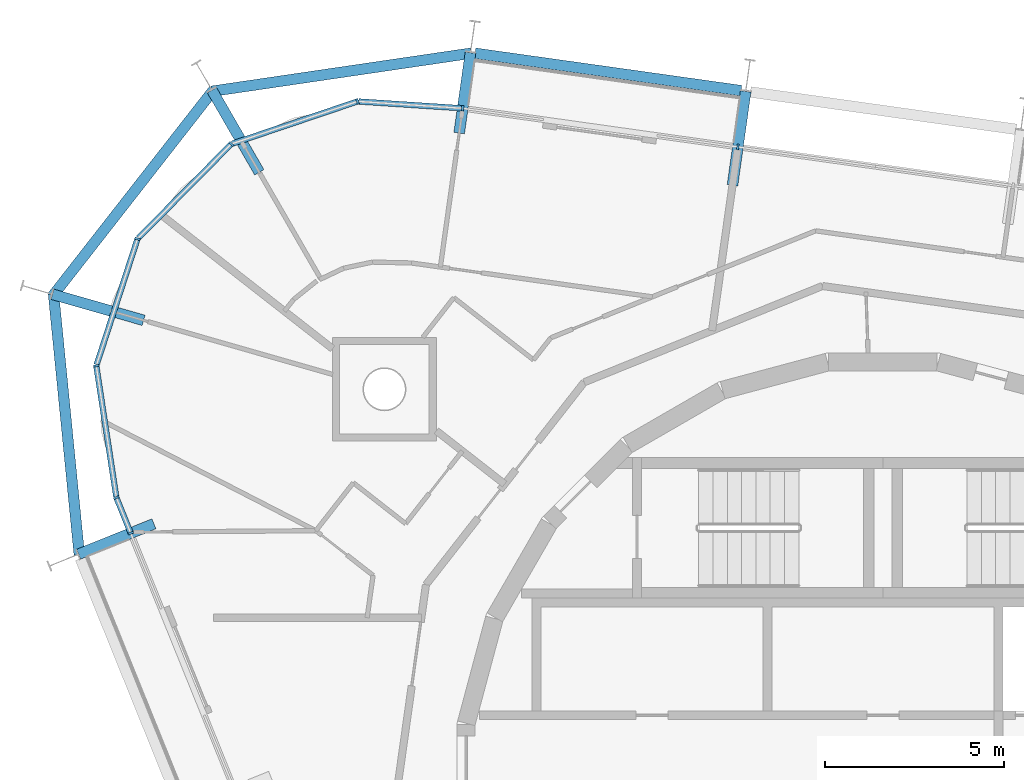
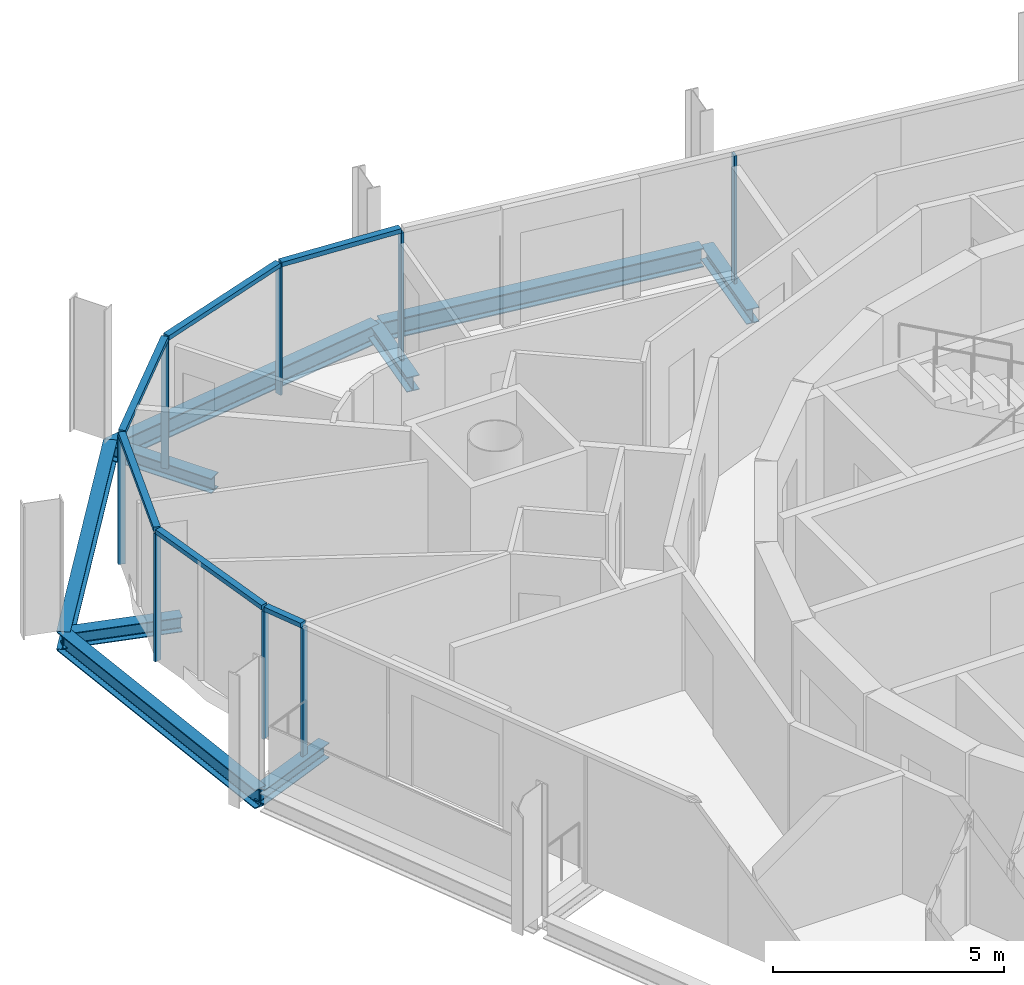
# One storey, part 5 of 15: 14 members, 9 beams, 3 elements without a shape of their own.
"""IFC4 building model written with IfcOpenShell, lengths in metres."""

from ifc_helpers import new_model, si_unit, direction, frame, origin, origin_2d, place, context, subcontext, project, spatial, rectangle, i_section, extrude, material, layer, layer_set, material_profile, profile_set, type_object, element, aggregate, save


model = new_model("IFC4")

# Units and contexts
model_context = context("Model", 3, precision=1e-05, world=origin(), true_north=direction((0.0, 1.0)))
body_context = subcontext(model_context, "Body", "Model", "MODEL_VIEW")
ifc_project = project(units=[si_unit("LENGTHUNIT", "METRE"), si_unit("AREAUNIT", "SQUARE_METRE"), si_unit("VOLUMEUNIT", "CUBIC_METRE"), si_unit("PLANEANGLEUNIT", "RADIAN"), si_unit("MASSUNIT", "GRAM", prefix="KILO")], contexts=[model_context])

# Site, building, storey
site_placement = place(None, origin())
site = spatial("IfcSite", under=ifc_project, at=site_placement, CompositionType="ELEMENT")
building_placement = place(site_placement, origin())
building = spatial("IfcBuilding", under=site, at=building_placement, Name="Spindle Arch Residences", CompositionType="ELEMENT")
storey_placement = place(building_placement, frame((0.0, 0.0, 336.5)))
storey = spatial("IfcBuildingStorey", under=building, at=storey_placement, Name="L86", CompositionType="ELEMENT", Elevation=336.5)

# Curtain wall, member
ifc_material_1 = material(Name="Aluminium bronze unitised frame with tinted glass", Category="aluminium")
ifc_layer_1 = layer(ifc_material_1, 0.159912109375)
ifc_layer_set_1 = layer_set([ifc_layer_1], Name="CW-C typical residential unitised wall")
curtain_wall_type_1 = type_object("IfcCurtainWallType", Name="CW-C typical residential unitised wall", PredefinedType="NOTDEFINED", material=ifc_layer_set_1)
curtain_wall_1_placement = place(storey_placement, origin())
curtain_wall_1 = element("IfcCurtainWall", 1, at=curtain_wall_1_placement, inside=storey, type_object=curtain_wall_type_1, Name="CW-C L86 run 2", PredefinedType="NOTDEFINED")
ifc_material_2 = material(Name="Aluminium bronze anodised mullion", Category="aluminium")
ifc_material_profile_1 = material_profile(ifc_material_2, rectangle(XDim=0.159912109375, YDim=0.06005859375, at=origin_2d()), Name="MU 60x160")
ifc_profile_set_1 = profile_set([ifc_material_profile_1], Name="Aluminium bronze anodised mullion")
member_type_1 = type_object("IfcMemberType", Name="Bronze mullion 60x160", PredefinedType="MULLION", material=ifc_profile_set_1)
member_1_placement = place(storey_placement, frame((-4.0537109375, 17.654296875, -0.3798828125), z_axis=(0.0, 0.0, 1.0), x_axis=(-0.13917310096, -0.990268068742, 0.0)))
member_1 = element("IfcMember", 2, at=member_1_placement, type_object=member_type_1, Name="CW-C mullion 07", PredefinedType="MULLION", context=body_context, shape_type="SweptSolid", body=[
    extrude(rectangle(XDim=0.159912109375, YDim=0.06005859375, at=origin_2d()), origin(), (0.0, 0.0, 1.0), 3.3798828125),
])
aggregate(curtain_wall_1, [member_1])

# Curtain wall, members
ifc_material_3 = material(Name="Aluminium bronze unitised frame with tinted glass", Category="aluminium")
ifc_layer_2 = layer(ifc_material_3, 0.159912109375)
ifc_layer_set_2 = layer_set([ifc_layer_2], Name="CW-D corner wall on the fillet arcs")
curtain_wall_type_2 = type_object("IfcCurtainWallType", Name="CW-D corner wall on the fillet arcs", PredefinedType="NOTDEFINED", material=ifc_layer_set_2)
curtain_wall_2_placement = place(storey_placement, origin())
curtain_wall_2 = element("IfcCurtainWall", 3, at=curtain_wall_2_placement, inside=storey, type_object=curtain_wall_type_2, Name="CW-D L86 run 3", PredefinedType="NOTDEFINED")
member_2_placement = place(storey_placement, frame((-11.74365234375, 18.735107421875, -0.3798828125), z_axis=(0.0, 0.0, 1.0), x_axis=(-0.065509719587, -0.99785193122, 0.0)))
member_2 = element("IfcMember", 4, at=member_2_placement, type_object=member_type_1, Name="CW-D mullion 00", PredefinedType="MULLION", context=body_context, shape_type="SweptSolid", body=[
    extrude(rectangle(XDim=0.159912109375, YDim=0.06005859375, at=origin_2d()), origin(), (0.0, 0.0, 1.0), 3.3798828125),
])
member_3_placement = place(storey_placement, frame((-14.6806640625, 18.927978515625, -0.3798828125), z_axis=(0.0, 0.0, 1.0), x_axis=(0.320061877599, -0.947396640541, 0.0)))
member_3 = element("IfcMember", 5, at=member_3_placement, type_object=member_type_1, Name="CW-D mullion 01", PredefinedType="MULLION", context=body_context, shape_type="SweptSolid", body=[
    extrude(rectangle(XDim=0.159912109375, YDim=0.06005859375, at=origin_2d()), origin(), (0.0, 0.0, 1.0), 3.3798828125),
])
member_4_placement = place(storey_placement, frame((-18.211181640625, 17.735107421875, -0.3798828125), z_axis=(0.0, 0.0, 1.0), x_axis=(0.711208574043, -0.702981055369, 0.0)))
member_4 = element("IfcMember", 6, at=member_4_placement, type_object=member_type_1, Name="CW-D mullion 02", PredefinedType="MULLION", context=body_context, shape_type="SweptSolid", body=[
    extrude(rectangle(XDim=0.159912109375, YDim=0.06005859375, at=origin_2d()), origin(), (0.0, 0.0, 1.0), 3.3798828125),
])
member_5_placement = place(storey_placement, frame((-20.8310546875, 15.084716796875, -0.3798828125), z_axis=(0.0, 0.0, 1.0), x_axis=(0.951056517498, -0.309016990673, 0.0)))
member_5 = element("IfcMember", 7, at=member_5_placement, type_object=member_type_1, Name="CW-D mullion 03", PredefinedType="MULLION", context=body_context, shape_type="SweptSolid", body=[
    extrude(rectangle(XDim=0.159912109375, YDim=0.06005859375, at=origin_2d()), origin(), (0.0, 0.0, 1.0), 3.3798828125),
])
member_6_placement = place(storey_placement, frame((-21.982666015625, 11.540283203125, -0.3798828125), z_axis=(0.0, 0.0, 1.0), x_axis=(0.988581718471, 0.150685718984, 0.0)))
member_6 = element("IfcMember", 8, at=member_6_placement, type_object=member_type_1, Name="CW-D mullion 04", PredefinedType="MULLION", context=body_context, shape_type="SweptSolid", body=[
    extrude(rectangle(XDim=0.159912109375, YDim=0.06005859375, at=origin_2d()), origin(), (0.0, 0.0, 1.0), 3.3798828125),
])
member_7_placement = place(storey_placement, frame((-21.421142578125, 7.856201171875, -0.3798828125), z_axis=(0.0, 0.0, 1.0), x_axis=(0.927183854567, 0.374606593416, 0.0)))
member_7 = element("IfcMember", 9, at=member_7_placement, type_object=member_type_1, Name="CW-D mullion 05", PredefinedType="MULLION", context=body_context, shape_type="SweptSolid", body=[
    extrude(rectangle(XDim=0.159912109375, YDim=0.06005859375, at=origin_2d()), origin(), (0.0, 0.0, 1.0), 3.3798828125),
])

# Curtain wall, member
curtain_wall_3_placement = place(storey_placement, origin())
curtain_wall_3 = element("IfcCurtainWall", 10, at=curtain_wall_3_placement, inside=storey, type_object=curtain_wall_type_1, Name="CW-C L86 run 4", PredefinedType="NOTDEFINED")
member_8_placement = place(storey_placement, frame((-21.019775390625, 6.862548828125, -0.3798828125), z_axis=(0.0, 0.0, 1.0), x_axis=(0.927183854567, 0.374606593416, 0.0)))
member_8 = element("IfcMember", 11, at=member_8_placement, type_object=member_type_1, Name="CW-C mullion 11", PredefinedType="MULLION", context=body_context, shape_type="SweptSolid", body=[
    extrude(rectangle(XDim=0.159912109375, YDim=0.06005859375, at=origin_2d()), origin(), (0.0, 0.0, 1.0), 3.3798828125),
])
aggregate(curtain_wall_3, [member_8])

# Member
ifc_material_4 = material(Name="Aluminium bronze anodised transom", Category="aluminium")
ifc_material_profile_2 = material_profile(ifc_material_4, rectangle(XDim=0.159912109375, YDim=0.1201171875, at=origin_2d()), Name="TR 120x160")
ifc_profile_set_2 = profile_set([ifc_material_profile_2], Name="Aluminium bronze anodised transom")
member_type_2 = type_object("IfcMemberType", Name="Bronze transom 120x160", PredefinedType="USERDEFINED", material=ifc_profile_set_2)
member_9_placement = place(storey_placement, frame((-11.773681640625, 18.737060546875, 3.06005859375), z_axis=(-0.997849873477, 0.065541055844, 0.0), x_axis=(-0.065541055844, -0.997849873477, 0.0)))
member_9 = element("IfcMember", 12, at=member_9_placement, type_object=member_type_2, Name="CW-D transom 00", ObjectType="TRANSOM", PredefinedType="USERDEFINED", context=body_context, shape_type="SweptSolid", body=[
    extrude(rectangle(XDim=0.159912109375, YDim=0.1201171875, at=origin_2d()), origin(), (0.0, 0.0, 1.0), 2.883056640625),
])

member_10_placement = place(storey_placement, frame((-14.708984375, 18.91845703125, 3.06005859375), z_axis=(-0.94739716915, -0.320060312889, 0.0), x_axis=(0.320060312889, -0.94739716915, 0.0)))
member_10 = element("IfcMember", 13, at=member_10_placement, type_object=member_type_2, Name="CW-D transom 01", ObjectType="TRANSOM", PredefinedType="USERDEFINED", context=body_context, shape_type="SweptSolid", body=[
    extrude(rectangle(XDim=0.159912109375, YDim=0.1201171875, at=origin_2d()), origin(), (0.0, 0.0, 1.0), 3.666748046875),
])

member_11_placement = place(storey_placement, frame((-18.232421875, 17.7138671875, 3.06005859375), z_axis=(-0.702966683093, -0.711222779769, 0.0), x_axis=(0.711222779769, -0.702966683093, 0.0)))
member_11 = element("IfcMember", 14, at=member_11_placement, type_object=member_type_2, Name="CW-D transom 02", ObjectType="TRANSOM", PredefinedType="USERDEFINED", context=body_context, shape_type="SweptSolid", body=[
    extrude(rectangle(XDim=0.159912109375, YDim=0.1201171875, at=origin_2d()), origin(), (0.0, 0.0, 1.0), 3.666748046875),
])

member_12_placement = place(storey_placement, frame((-20.84033203125, 15.05615234375, 3.06005859375), z_axis=(-0.309007783623, -0.951059509001, 0.0), x_axis=(0.951059509001, -0.309007783623, 0.0)))
member_12 = element("IfcMember", 15, at=member_12_placement, type_object=member_type_2, Name="CW-D transom 03", ObjectType="TRANSOM", PredefinedType="USERDEFINED", context=body_context, shape_type="SweptSolid", body=[
    extrude(rectangle(XDim=0.159912109375, YDim=0.1201171875, at=origin_2d()), origin(), (0.0, 0.0, 1.0), 3.666748046875),
])

member_13_placement = place(storey_placement, frame((-21.978271484375, 11.5107421875, 3.06005859375), z_axis=(0.150671164407, -0.988583936859, 0.0), x_axis=(0.988583936859, 0.150671164407, 0.0)))
member_13 = element("IfcMember", 16, at=member_13_placement, type_object=member_type_2, Name="CW-D transom 04", ObjectType="TRANSOM", PredefinedType="USERDEFINED", context=body_context, shape_type="SweptSolid", body=[
    extrude(rectangle(XDim=0.159912109375, YDim=0.1201171875, at=origin_2d()), origin(), (0.0, 0.0, 1.0), 3.666748046875),
])

member_14_placement = place(storey_placement, frame((-21.409912109375, 7.828369140625, 3.06005859375), z_axis=(0.374550833754, -0.927206380982, 0.0), x_axis=(0.927206380982, 0.374550833754, 0.0)))
member_14 = element("IfcMember", 17, at=member_14_placement, type_object=member_type_2, Name="CW-D transom 05", ObjectType="TRANSOM", PredefinedType="USERDEFINED", context=body_context, shape_type="SweptSolid", body=[
    extrude(rectangle(XDim=0.159912109375, YDim=0.1201171875, at=origin_2d()), origin(), (0.0, 0.0, 1.0), 1.01171875),
])

aggregate(curtain_wall_2, [member_2, member_9, member_3, member_10, member_4, member_11, member_5, member_12, member_6, member_13, member_7, member_14])

# Beams
ifc_material_5 = material(Name="Steel S460ML, intumescent coating R 120", Category="steel")
ifc_material_profile_3 = material_profile(ifc_material_5, i_section(OverallWidth=0.300048828125, OverallDepth=0.5, WebThickness=0.014404296875, FlangeThickness=0.028076171875, FilletRadius=0.027099609375, at=origin_2d()), Name="HEB 500")
ifc_profile_set_3 = profile_set([ifc_material_profile_3], Name="Steel S460ML, intumescent coating R 120")
beam_type_1 = type_object("IfcBeamType", Name="Exoskeleton edge beam HEB 500", PredefinedType="BEAM", material=ifc_profile_set_3)
beam_1_placement = place(storey_placement, frame((-3.964111328125, 19.227294921875, -0.6298828125), z_axis=(-0.990270241249, 0.13915764189, 0.0), x_axis=(-0.13915764189, -0.990270241249, 0.0)))
element("IfcBeam", 18, at=beam_1_placement, inside=storey, type_object=beam_type_1, Name="Exoskeleton edge beam 8", PredefinedType="BEAM", context=body_context, shape_type="SweptSolid", body=[
    extrude(i_section(OverallWidth=0.300048828125, OverallDepth=0.5, WebThickness=0.014404296875, FlangeThickness=0.028076171875, FilletRadius=0.027099609375, at=origin_2d()), origin(), (0.0, 0.0, 1.0), 7.50537109375),
])
beam_2_placement = place(storey_placement, frame((-11.505615234375, 20.27490234375, -0.6298828125), z_axis=(-0.989384491355, -0.145321465266, 0.0), x_axis=(0.145321465266, -0.989384491355, 0.0)))
element("IfcBeam", 19, at=beam_2_placement, inside=storey, type_object=beam_type_1, Name="Exoskeleton edge beam 9", PredefinedType="BEAM", context=body_context, shape_type="SweptSolid", body=[
    extrude(i_section(OverallWidth=0.300048828125, OverallDepth=0.5, WebThickness=0.014404296875, FlangeThickness=0.028076171875, FilletRadius=0.027099609375, at=origin_2d()), origin(), (0.0, 0.0, 1.0), 7.333251953125),
])
beam_3_placement = place(storey_placement, frame((-18.700927734375, 19.252685546875, -0.6298828125), z_axis=(-0.615671888322, -0.788002617971, 0.0), x_axis=(0.788002617971, -0.615671888322, 0.0)))
element("IfcBeam", 20, at=beam_3_placement, inside=storey, type_object=beam_type_1, Name="Exoskeleton edge beam 10", PredefinedType="BEAM", context=body_context, shape_type="SweptSolid", body=[
    extrude(i_section(OverallWidth=0.300048828125, OverallDepth=0.5, WebThickness=0.014404296875, FlangeThickness=0.028076171875, FilletRadius=0.027099609375, at=origin_2d()), origin(), (0.0, 0.0, 1.0), 7.31591796875),
])
beam_4_placement = place(storey_placement, frame((-23.177490234375, 13.556640625, -0.6298828125), z_axis=(0.098376359096, -0.995149281249, 0.0), x_axis=(0.995149281249, 0.098376359096, 0.0)))
element("IfcBeam", 21, at=beam_4_placement, inside=storey, type_object=beam_type_1, Name="Exoskeleton edge beam 11", PredefinedType="BEAM", context=body_context, shape_type="SweptSolid", body=[
    extrude(i_section(OverallWidth=0.300048828125, OverallDepth=0.5, WebThickness=0.014404296875, FlangeThickness=0.028076171875, FilletRadius=0.027099609375, at=origin_2d()), origin(), (0.0, 0.0, 1.0), 7.33349609375),
])
ifc_material_6 = material(Name="Steel S460ML, intumescent coating R 120", Category="steel")
ifc_material_profile_4 = material_profile(ifc_material_6, i_section(OverallWidth=0.300048828125, OverallDepth=0.389892578125, WebThickness=0.010986328125, FlangeThickness=0.01904296875, FilletRadius=0.027099609375, at=origin_2d()), Name="HEA 400")
ifc_profile_set_4 = profile_set([ifc_material_profile_4], Name="Steel S460ML, intumescent coating R 120")
beam_type_2 = type_object("IfcBeamType", Name="Floor outrigger HEA 400", PredefinedType="BEAM", material=ifc_profile_set_4)
beam_5_placement = place(storey_placement, frame((-3.835205078125, 19.208984375, -0.574951171875), z_axis=(-0.139215304089, -0.990262136562, 0.0), x_axis=(0.990262136562, -0.139215304089, 0.0)))
element("IfcBeam", 22, at=beam_5_placement, inside=storey, type_object=beam_type_2, Name="Floor outrigger 8", PredefinedType="BEAM", context=body_context, shape_type="SweptSolid", body=[
    extrude(i_section(OverallWidth=0.300048828125, OverallDepth=0.389892578125, WebThickness=0.010986328125, FlangeThickness=0.01904296875, FilletRadius=0.027099609375, at=origin_2d()), origin(), (0.0, 0.0, 1.0), 2.64990234375),
])
beam_6_placement = place(storey_placement, frame((-11.525146484375, 20.289794921875, -0.574951171875), z_axis=(-0.139236695956, -0.990259128965, 0.0), x_axis=(0.990259128965, -0.139236695956, 0.0)))
element("IfcBeam", 23, at=beam_6_placement, inside=storey, type_object=beam_type_2, Name="Floor outrigger 9", PredefinedType="BEAM", context=body_context, shape_type="SweptSolid", body=[
    extrude(i_section(OverallWidth=0.300048828125, OverallDepth=0.389892578125, WebThickness=0.010986328125, FlangeThickness=0.01904296875, FilletRadius=0.027099609375, at=origin_2d()), origin(), (0.0, 0.0, 1.0), 2.26904296875),
])
beam_7_placement = place(storey_placement, frame((-18.750732421875, 19.2421875, -0.574951171875), z_axis=(0.49963737375, -0.866234664945, 0.0), x_axis=(0.866234664945, 0.49963737375, 0.0)))
element("IfcBeam", 24, at=beam_7_placement, inside=storey, type_object=beam_type_2, Name="Floor outrigger 10", PredefinedType="BEAM", context=body_context, shape_type="SweptSolid", body=[
    extrude(i_section(OverallWidth=0.300048828125, OverallDepth=0.389892578125, WebThickness=0.010986328125, FlangeThickness=0.01904296875, FilletRadius=0.027099609375, at=origin_2d()), origin(), (0.0, 0.0, 1.0), 2.64990234375),
])
beam_8_placement = place(storey_placement, frame((-23.20703125, 13.53857421875, -0.574951171875), z_axis=(0.961395217741, -0.275171283575, 0.0), x_axis=(0.275171283575, 0.961395217741, 0.0)))
element("IfcBeam", 25, at=beam_8_placement, inside=storey, type_object=beam_type_2, Name="Floor outrigger 11", PredefinedType="BEAM", context=body_context, shape_type="SweptSolid", body=[
    extrude(i_section(OverallWidth=0.300048828125, OverallDepth=0.389892578125, WebThickness=0.010986328125, FlangeThickness=0.01904296875, FilletRadius=0.027099609375, at=origin_2d()), origin(), (0.0, 0.0, 1.0), 2.650146484375),
])
beam_9_placement = place(storey_placement, frame((-22.475341796875, 6.2744140625, -0.574951171875), z_axis=(0.927202315329, 0.374560898185, 0.0), x_axis=(-0.374560898185, 0.927202315329, 0.0)))
element("IfcBeam", 26, at=beam_9_placement, inside=storey, type_object=beam_type_2, Name="Floor outrigger 12", PredefinedType="BEAM", context=body_context, shape_type="SweptSolid", body=[
    extrude(i_section(OverallWidth=0.300048828125, OverallDepth=0.389892578125, WebThickness=0.010986328125, FlangeThickness=0.01904296875, FilletRadius=0.027099609375, at=origin_2d()), origin(), (0.0, 0.0, 1.0), 2.26904296875),
])

save(model, "model.ifc")
